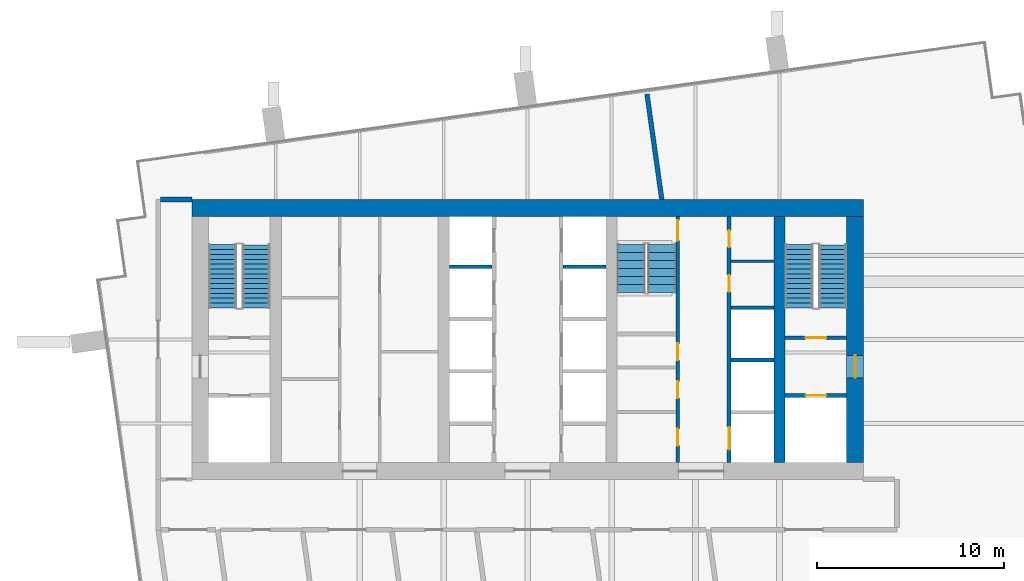
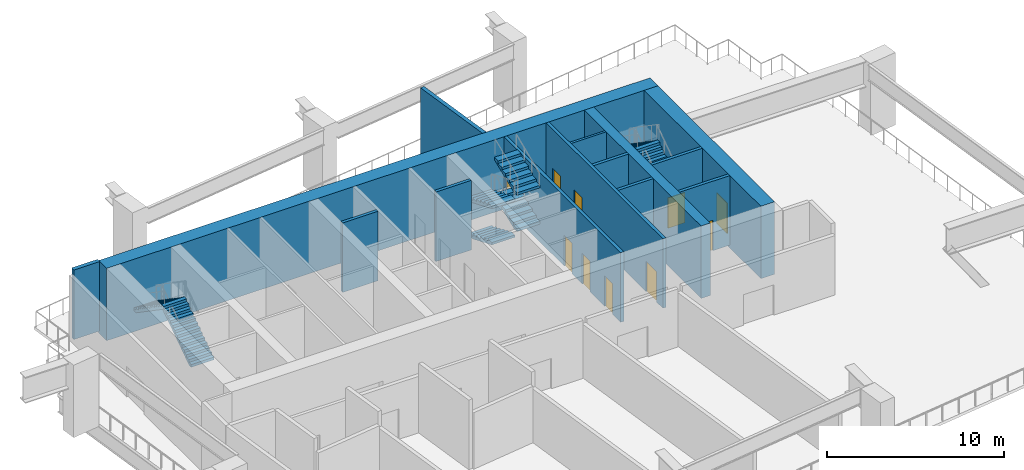
# One storey, part 4 of 10: 14 walls, 10 doors, 8 stair flights, 10 openings, 3 elements without a shape of their own.
"""IFC4 building model written with IfcOpenShell, lengths in metres."""

from ifc_helpers import new_model, si_unit, direction, frame, frame_2d, origin, place, context, subcontext, project, spatial, polyline, rectangle, outline, extrude, material, layer, layer_set, type_object, element, fill, aggregate, save


model = new_model("IFC4")

# Units and contexts
model_context = context("Model", 3, precision=1e-05, world=origin(), true_north=direction((0.0, 1.0)))
body_context = subcontext(model_context, "Body", "Model", "MODEL_VIEW")
ifc_project = project(units=[si_unit("LENGTHUNIT", "METRE"), si_unit("AREAUNIT", "SQUARE_METRE"), si_unit("VOLUMEUNIT", "CUBIC_METRE"), si_unit("PLANEANGLEUNIT", "RADIAN"), si_unit("MASSUNIT", "GRAM", prefix="KILO")], contexts=[model_context])

# Site, building, storey
site_placement = place(None, origin())
site = spatial("IfcSite", under=ifc_project, at=site_placement, CompositionType="ELEMENT")
building_placement = place(site_placement, origin())
building = spatial("IfcBuilding", under=site, at=building_placement, Name="Rattan Terrace Tower", CompositionType="ELEMENT")
storey_placement = place(building_placement, frame((0.0, 0.0, 244.699951171875)))
storey = spatial("IfcBuildingStorey", under=building, at=storey_placement, Name="L56", CompositionType="ELEMENT", Elevation=244.699951171875)

# Wall
ifc_material_1 = material(Name="Gypsum board partition")
ifc_layer_1 = layer(ifc_material_1, 0.14990234375)
ifc_layer_set_1 = layer_set([ifc_layer_1], Name="Core partition 150")
wall_type_1 = type_object("IfcWallType", Name="Core partition 150", PredefinedType="PARTITIONING", material=ifc_layer_set_1)
wall_1_placement = place(storey_placement, frame((10.89990234375, 4.199951171875, 0.0), z_axis=(0.0, 0.0, 1.0), x_axis=(1.0, 0.0, 0.0)))
element("IfcWall", 1, at=wall_1_placement, inside=storey, type_object=wall_type_1, Name="Riser room wall", PredefinedType="PARTITIONING", context=body_context, shape_type="SweptSolid", body=[
    extrude(rectangle(XDim=2.300048828125, YDim=0.14990234375, at=frame_2d((1.14990234375, 0.0))), origin(), (0.0, 0.0, 1.0), 4.800048828125),
])

# Wall, opening, door
ifc_material_2 = material(Name="Gypsum board partition")
ifc_layer_2 = layer(ifc_material_2, 0.199951171875)
ifc_layer_set_2 = layer_set([ifc_layer_2], Name="Core partition 200")
wall_type_2 = type_object("IfcWallType", Name="Core partition 200", PredefinedType="PARTITIONING", material=ifc_layer_set_2)
wall_2_placement = place(storey_placement, frame((13.800048828125, -3.0, 0.0), z_axis=(0.0, 0.0, 1.0), x_axis=(1.0, 0.0, 0.0)))
wall_2 = element("IfcWall", 2, at=wall_2_placement, inside=storey, type_object=wall_type_2, Name="Fire-fighting lobby wall", PredefinedType="PARTITIONING", context=body_context, shape_type="SweptSolid", body=[
    extrude(rectangle(XDim=3.300048828125, YDim=0.199951171875, at=frame_2d((1.64990234375, 0.0))), origin(), (0.0, 0.0, 1.0), 4.800048828125),
])
opening_1_placement = place(wall_2_placement, frame((1.10009765625, 0.0, 0.0)))
opening_1 = element("IfcOpeningElement", 3, at=opening_1_placement, cuts=wall_2, Name="Opening L56-LD-FF2", PredefinedType="OPENING", context=body_context, shape_type="SweptSolid", body=[
    extrude(rectangle(XDim=1.10009765625, YDim=2.10009765625, at=frame_2d((0.550048828125, 1.050048828125))), frame((0.0, 0.110595703125, 0.0), z_axis=(0.0, -1.0, 0.0), x_axis=(1.0, 0.0, 0.0)), (0.0, 0.0, 1.0), 0.220947265625),
])
ifc_material_3 = material(Name="Brushed stainless landing door panel")
door_type_1 = type_object("IfcDoorType", Name="Core lift landing door 1100", OperationType="DOUBLE_DOOR_SLIDING", PredefinedType="DOOR", material=ifc_material_3)
door_1_placement = place(opening_1_placement, origin())
door_1 = element("IfcDoor", 4, at=door_1_placement, inside=storey, type_object=door_type_1, Name="Door L56-LD-FF2", OperationType="DOUBLE_DOOR_SLIDING", OverallHeight=2.10009765625, OverallWidth=1.10009765625, PredefinedType="DOOR", context=body_context, shape_type="SweptSolid", body=[
    extrude(rectangle(XDim=1.10009765625, YDim=2.10009765625, at=frame_2d((0.550048828125, 1.050048828125))), frame((0.0, 0.02490234375, 0.0), z_axis=(0.0, -1.0, 0.0), x_axis=(1.0, 0.0, 0.0)), (0.0, 0.0, 1.0), 0.050048828125),
])
fill(opening_1, door_1)

wall_3_placement = place(storey_placement, frame((13.800048828125, 0.10009765625, 0.0), z_axis=(0.0, 0.0, 1.0), x_axis=(1.0, 0.0, 0.0)))
wall_3 = element("IfcWall", 5, at=wall_3_placement, inside=storey, type_object=wall_type_2, Name="Stair enclosure wall", PredefinedType="PARTITIONING", context=body_context, shape_type="SweptSolid", body=[
    extrude(rectangle(XDim=3.300048828125, YDim=0.199951171875, at=frame_2d((1.64990234375, 0.0))), origin(), (0.0, 0.0, 1.0), 4.800048828125),
])
opening_2_placement = place(wall_3_placement, frame((1.10009765625, 0.0, 0.0)))
opening_2 = element("IfcOpeningElement", 6, at=opening_2_placement, cuts=wall_3, Name="Opening L56-D004", PredefinedType="OPENING", context=body_context, shape_type="SweptSolid", body=[
    extrude(rectangle(XDim=1.10009765625, YDim=2.10009765625, at=frame_2d((0.550048828125, 1.050048828125))), frame((0.0, 0.110595703125, 0.0), z_axis=(0.0, -1.0, 0.0), x_axis=(1.0, 0.0, 0.0)), (0.0, 0.0, 1.0), 0.220947265625),
])
ifc_material_4 = material(Name="Hollow-metal fire door leaf")
door_type_2 = type_object("IfcDoorType", Name="Core stair door 1100", OperationType="NOTDEFINED", PredefinedType="DOOR", material=ifc_material_4)
door_2_placement = place(opening_2_placement, origin())
door_2 = element("IfcDoor", 7, at=door_2_placement, inside=storey, type_object=door_type_2, Name="Door L56-D004", OperationType="SINGLE_SWING_LEFT", OverallHeight=2.10009765625, OverallWidth=1.10009765625, PredefinedType="DOOR", context=body_context, shape_type="SweptSolid", body=[
    extrude(rectangle(XDim=1.10009765625, YDim=2.10009765625, at=frame_2d((0.550048828125, 1.050048828125))), frame((0.0, 0.02490234375, 0.0), z_axis=(0.0, -1.0, 0.0), x_axis=(1.0, 0.0, 0.0)), (0.0, 0.0, 1.0), 0.050048828125),
])
fill(opening_2, door_2)

# Wall, openings, doors
wall_4_placement = place(storey_placement, frame((8.050048828125, -6.60009765625, 0.0), z_axis=(0.0, 0.0, 1.0), x_axis=(0.0, 1.0, 0.0)))
wall_4 = element("IfcWall", 8, at=wall_4_placement, inside=storey, type_object=wall_type_2, Name="Lobby wall west", PredefinedType="PARTITIONING", context=body_context, shape_type="SweptSolid", body=[
    extrude(rectangle(XDim=13.2001953125, YDim=0.199951171875, at=frame_2d((6.60009765625, 0.0))), origin(), (0.0, 0.0, 1.0), 4.800048828125),
])
opening_3_placement = place(wall_4_placement, frame((0.909912109375, 0.0, 0.0)))
opening_3 = element("IfcOpeningElement", 9, at=opening_3_placement, cuts=wall_4, Name="Opening L56-D014", PredefinedType="OPENING", context=body_context, shape_type="SweptSolid", body=[
    extrude(rectangle(XDim=0.89990234375, YDim=2.10009765625, at=frame_2d((0.449951171875, 1.050048828125))), frame((0.0, 0.110595703125, 0.0), z_axis=(0.0, -1.0, 0.0), x_axis=(1.0, 0.0, 0.0)), (0.0, 0.0, 1.0), 0.220947265625),
])
opening_4_placement = place(wall_4_placement, frame((3.4599609375, 0.0, 0.0)))
opening_4 = element("IfcOpeningElement", 10, at=opening_4_placement, cuts=wall_4, Name="Opening L56-D015", PredefinedType="OPENING", context=body_context, shape_type="SweptSolid", body=[
    extrude(rectangle(XDim=0.89990234375, YDim=2.10009765625, at=frame_2d((0.449951171875, 1.050048828125))), frame((0.0, 0.110595703125, 0.0), z_axis=(0.0, -1.0, 0.0), x_axis=(1.0, 0.0, 0.0)), (0.0, 0.0, 1.0), 0.220947265625),
])
opening_5_placement = place(wall_4_placement, frame((5.5, 0.0, 0.0)))
opening_5 = element("IfcOpeningElement", 11, at=opening_5_placement, cuts=wall_4, Name="Opening L56-D016", PredefinedType="OPENING", context=body_context, shape_type="SweptSolid", body=[
    extrude(rectangle(XDim=0.89990234375, YDim=2.10009765625, at=frame_2d((0.449951171875, 1.050048828125))), frame((0.0, 0.110595703125, 0.0), z_axis=(0.0, -1.0, 0.0), x_axis=(1.0, 0.0, 0.0)), (0.0, 0.0, 1.0), 0.220947265625),
])
opening_6_placement = place(wall_4_placement, frame((11.89990234375, 0.0, 0.0)))
opening_6 = element("IfcOpeningElement", 12, at=opening_6_placement, cuts=wall_4, Name="Opening L56-D017", PredefinedType="OPENING", context=body_context, shape_type="SweptSolid", body=[
    extrude(rectangle(XDim=1.10009765625, YDim=2.10009765625, at=frame_2d((0.550048828125, 1.050048828125))), frame((0.0, 0.110595703125, 0.0), z_axis=(0.0, -1.0, 0.0), x_axis=(1.0, 0.0, 0.0)), (0.0, 0.0, 1.0), 0.220947265625),
])
ifc_material_5 = material(Name="Hollow-metal fire door leaf")
door_type_3 = type_object("IfcDoorType", Name="Core service room door 900", OperationType="NOTDEFINED", PredefinedType="DOOR", material=ifc_material_5)
door_3_placement = place(opening_5_placement, origin())
door_3 = element("IfcDoor", 13, at=door_3_placement, inside=storey, type_object=door_type_3, Name="Door L56-D016", OperationType="SINGLE_SWING_RIGHT", OverallHeight=2.10009765625, OverallWidth=0.89990234375, PredefinedType="DOOR", context=body_context, shape_type="SweptSolid", body=[
    extrude(rectangle(XDim=0.89990234375, YDim=2.10009765625, at=frame_2d((0.449951171875, 1.050048828125))), frame((0.0, 0.02490234375, 0.0), z_axis=(0.0, -1.0, 0.0), x_axis=(1.0, 0.0, 0.0)), (0.0, 0.0, 1.0), 0.050048828125),
])
fill(opening_5, door_3)
door_4_placement = place(opening_6_placement, origin())
door_4 = element("IfcDoor", 14, at=door_4_placement, inside=storey, type_object=door_type_2, Name="Door L56-D017", OperationType="SINGLE_SWING_LEFT", OverallHeight=2.10009765625, OverallWidth=1.10009765625, PredefinedType="DOOR", context=body_context, shape_type="SweptSolid", body=[
    extrude(rectangle(XDim=1.10009765625, YDim=2.10009765625, at=frame_2d((0.550048828125, 1.050048828125))), frame((0.0, 0.02490234375, 0.0), z_axis=(0.0, -1.0, 0.0), x_axis=(1.0, 0.0, 0.0)), (0.0, 0.0, 1.0), 0.050048828125),
])
fill(opening_6, door_4)
ifc_material_6 = material(Name="Hollow-metal fire door leaf")
door_type_4 = type_object("IfcDoorType", Name="Core toilet door 900", OperationType="NOTDEFINED", PredefinedType="DOOR", material=ifc_material_6)
door_5_placement = place(opening_3_placement, origin())
door_5 = element("IfcDoor", 15, at=door_5_placement, inside=storey, type_object=door_type_4, Name="Door L56-D014", OperationType="SINGLE_SWING_RIGHT", OverallHeight=2.10009765625, OverallWidth=0.89990234375, PredefinedType="DOOR", context=body_context, shape_type="SweptSolid", body=[
    extrude(rectangle(XDim=0.89990234375, YDim=2.10009765625, at=frame_2d((0.449951171875, 1.050048828125))), frame((0.0, 0.02490234375, 0.0), z_axis=(0.0, -1.0, 0.0), x_axis=(1.0, 0.0, 0.0)), (0.0, 0.0, 1.0), 0.050048828125),
])
fill(opening_3, door_5)
door_6_placement = place(opening_4_placement, origin())
door_6 = element("IfcDoor", 16, at=door_6_placement, inside=storey, type_object=door_type_4, Name="Door L56-D015", OperationType="SINGLE_SWING_LEFT", OverallHeight=2.10009765625, OverallWidth=0.89990234375, PredefinedType="DOOR", context=body_context, shape_type="SweptSolid", body=[
    extrude(rectangle(XDim=0.89990234375, YDim=2.10009765625, at=frame_2d((0.449951171875, 1.050048828125))), frame((0.0, 0.02490234375, 0.0), z_axis=(0.0, -1.0, 0.0), x_axis=(1.0, 0.0, 0.0)), (0.0, 0.0, 1.0), 0.050048828125),
])
fill(opening_4, door_6)

# Wall
ifc_material_7 = material(Name="Concrete C50/60", Category="concrete")
ifc_layer_3 = layer(ifc_material_7, 0.89990234375)
ifc_layer_set_3 = layer_set([ifc_layer_3], Name="Core ring wall 900 C50/60")
wall_type_3 = type_object("IfcWallType", Name="Core ring wall 900 C50/60", PredefinedType="SHEAR", material=ifc_layer_set_3)
wall_5_placement = place(storey_placement, frame((-18.0, 7.050048828125, -0.199951171875), z_axis=(0.0, 0.0, 1.0), x_axis=(1.0, 0.0, 0.0)))
element("IfcWall", 17, at=wall_5_placement, inside=storey, type_object=wall_type_3, Name="Rear core wall north", PredefinedType="SHEAR", context=body_context, shape_type="SweptSolid", body=[
    extrude(rectangle(XDim=36.0, YDim=0.89990234375, at=frame_2d((18.0, 0.0))), origin(), (0.0, 0.0, 1.0), 5.0),
])

# Wall, opening, door
wall_6_placement = place(storey_placement, frame((17.550048828125, -6.60009765625, -0.199951171875), z_axis=(0.0, 0.0, 1.0), x_axis=(0.0, 1.0, 0.0)))
wall_6 = element("IfcWall", 18, at=wall_6_placement, inside=storey, type_object=wall_type_3, Name="Rear core wall east", PredefinedType="SHEAR", context=body_context, shape_type="SweptSolid", body=[
    extrude(rectangle(XDim=13.2001953125, YDim=0.89990234375, at=frame_2d((6.60009765625, 0.0))), origin(), (0.0, 0.0, 1.0), 5.0),
])
opening_7_placement = place(wall_6_placement, frame((4.550048828125, 0.0, 0.199951171875)))
opening_7 = element("IfcOpeningElement", 19, at=opening_7_placement, cuts=wall_6, Name="Opening L56-D003", PredefinedType="OPENING", context=body_context, shape_type="SweptSolid", body=[
    extrude(rectangle(XDim=1.199951171875, YDim=2.10009765625, at=frame_2d((0.60009765625, 1.050048828125))), frame((0.0, 0.46044921875, 0.0), z_axis=(0.0, -1.0, 0.0), x_axis=(1.0, 0.0, 0.0)), (0.0, 0.0, 1.0), 0.9208984375),
])
ifc_material_8 = material(Name="Hollow-metal fire door leaf")
door_type_5 = type_object("IfcDoorType", Name="Core fire-fighting lobby door 1200", OperationType="NOTDEFINED", PredefinedType="DOOR", material=ifc_material_8)
door_7_placement = place(opening_7_placement, origin())
door_7 = element("IfcDoor", 20, at=door_7_placement, inside=storey, type_object=door_type_5, Name="Door L56-D003", OperationType="SINGLE_SWING_RIGHT", OverallHeight=2.10009765625, OverallWidth=1.199951171875, PredefinedType="DOOR", context=body_context, shape_type="SweptSolid", body=[
    extrude(rectangle(XDim=1.199951171875, YDim=2.10009765625, at=frame_2d((0.60009765625, 1.050048828125))), frame((0.0, 0.02490234375, 0.0), z_axis=(0.0, -1.0, 0.0), x_axis=(1.0, 0.0, 0.0)), (0.0, 0.0, 1.0), 0.050048828125),
])
fill(opening_7, door_7)

# Walls
ifc_material_9 = material(Name="Concrete C50/60", Category="concrete")
ifc_layer_4 = layer(ifc_material_9, 0.60009765625)
ifc_layer_set_4 = layer_set([ifc_layer_4], Name="Core spine wall 600 C50/60")
wall_type_4 = type_object("IfcWallType", Name="Core spine wall 600 C50/60", PredefinedType="SHEAR", material=ifc_layer_set_4)
wall_7_placement = place(storey_placement, frame((13.5, -6.60009765625, -0.199951171875), z_axis=(0.0, 0.0, 1.0), x_axis=(0.0, 1.0, 0.0)))
element("IfcWall", 21, at=wall_7_placement, inside=storey, type_object=wall_type_4, Name="Core spine wall 4", PredefinedType="SHEAR", context=body_context, shape_type="SweptSolid", body=[
    extrude(rectangle(XDim=13.2001953125, YDim=0.60009765625, at=frame_2d((6.60009765625, 0.0))), origin(), (0.0, 0.0, 1.0), 5.0),
])
ifc_material_10 = material(Name="Reinforced concrete wall, painted", Category="concrete")
ifc_layer_5 = layer(ifc_material_10, 0.25)
ifc_layer_set_5 = layer_set([ifc_layer_5], Name="Floors Refuge Wall 250")
wall_type_5 = type_object("IfcWallType", Name="Floors Refuge Wall 250", PredefinedType="PARTITIONING", material=ifc_layer_set_5)
wall_8_placement = place(storey_placement, frame((-19.675048828125, 7.501953125, 0.0), z_axis=(0.0, 0.0, 1.0), x_axis=(1.0, 0.0, 0.0)))
element("IfcWall", 22, at=wall_8_placement, inside=storey, type_object=wall_type_5, Name="pt-L56-013", PredefinedType="PARTITIONING", context=body_context, shape_type="SweptSolid", body=[
    extrude(rectangle(XDim=1.675048828125, YDim=0.25, at=frame_2d((0.83740234375, 0.0))), origin(), (0.0, 0.0, 1.0), 4.800048828125),
])
wall_9_placement = place(storey_placement, frame((7.193115234375, 7.5, 0.0), z_axis=(0.0, 0.0, 1.0), x_axis=(-0.139242385589, 0.99025832895, 0.0)))
element("IfcWall", 23, at=wall_9_placement, inside=storey, type_object=wall_type_5, Name="pt-L56-025", PredefinedType="PARTITIONING", context=body_context, shape_type="SweptSolid", body=[
    extrude(rectangle(XDim=5.710693359375, YDim=0.25, at=frame_2d((2.85546875, 0.0))), origin(), (0.0, 0.0, 1.0), 4.800048828125),
])
ifc_material_11 = material(Name="Gypsum shaft wall system")
ifc_layer_6 = layer(ifc_material_11, 0.199951171875)
ifc_layer_set_6 = layer_set([ifc_layer_6], Name="Lift shaft wall 200")
wall_type_6 = type_object("IfcWallType", Name="Lift shaft wall 200", PredefinedType="PARTITIONING", material=ifc_layer_set_6)
for number, where, z_axis, x_axis, name in (
    (24, (-4.199951171875, 3.89990234375, 0.0), (0.0, 0.0, 1.0), (1.0, 0.0, 0.0), "Lift shaft wall"),
    (25, (1.89990234375, 3.89990234375, 0.0), (0.0, 0.0, 1.0), (1.0, 0.0, 0.0), "Lift shaft wall"),
):
    element("IfcWall", number, at=place(storey_placement, frame(where, z_axis=z_axis, x_axis=x_axis)), inside=storey, type_object=wall_type_6, Name=name, PredefinedType="PARTITIONING", context=body_context, shape_type="SweptSolid", body=[
        extrude(rectangle(XDim=2.300048828125, YDim=0.199951171875, at=frame_2d((1.14990234375, 0.0))), origin(), (0.0, 0.0, 1.0), 4.800048828125),
    ])

# Wall, openings, doors
wall_10_placement = place(storey_placement, frame((10.800048828125, -6.60009765625, 0.0), z_axis=(0.0, 0.0, 1.0), x_axis=(0.0, 1.0, 0.0)))
wall_10 = element("IfcWall", 26, at=wall_10_placement, inside=storey, type_object=wall_type_6, Name="Lift shaft front wall", PredefinedType="PARTITIONING", context=body_context, shape_type="SweptSolid", body=[
    extrude(rectangle(XDim=13.2001953125, YDim=0.199951171875, at=frame_2d((6.60009765625, 0.0))), origin(), (0.0, 0.0, 1.0), 4.800048828125),
])
opening_8_placement = place(wall_10_placement, frame((0.699951171875, 0.0, 0.0)))
opening_8 = element("IfcOpeningElement", 27, at=opening_8_placement, cuts=wall_10, Name="Opening L56-LD-SV1", PredefinedType="OPENING", context=body_context, shape_type="SweptSolid", body=[
    extrude(rectangle(XDim=1.199951171875, YDim=2.10009765625, at=frame_2d((0.60009765625, 1.050048828125))), frame((0.0, 0.110595703125, 0.0), z_axis=(0.0, -1.0, 0.0), x_axis=(1.0, 0.0, 0.0)), (0.0, 0.0, 1.0), 0.220947265625),
])
opening_9_placement = place(wall_10_placement, frame((9.14990234375, 0.0, 0.0)))
opening_9 = element("IfcOpeningElement", 28, at=opening_9_placement, cuts=wall_10, Name="Opening L56-D019", PredefinedType="OPENING", context=body_context, shape_type="SweptSolid", body=[
    extrude(rectangle(XDim=0.89990234375, YDim=2.10009765625, at=frame_2d((0.449951171875, 1.050048828125))), frame((0.0, 0.110595703125, 0.0), z_axis=(0.0, -1.0, 0.0), x_axis=(1.0, 0.0, 0.0)), (0.0, 0.0, 1.0), 0.220947265625),
])
opening_10_placement = place(wall_10_placement, frame((11.550048828125, 0.0, 0.0)))
opening_10 = element("IfcOpeningElement", 29, at=opening_10_placement, cuts=wall_10, Name="Opening L56-D020", PredefinedType="OPENING", context=body_context, shape_type="SweptSolid", body=[
    extrude(rectangle(XDim=0.89990234375, YDim=2.10009765625, at=frame_2d((0.449951171875, 1.050048828125))), frame((0.0, 0.110595703125, 0.0), z_axis=(0.0, -1.0, 0.0), x_axis=(1.0, 0.0, 0.0)), (0.0, 0.0, 1.0), 0.220947265625),
])
ifc_material_12 = material(Name="Brushed stainless landing door panel")
door_type_6 = type_object("IfcDoorType", Name="Core lift landing door 1200", OperationType="DOUBLE_DOOR_SLIDING", PredefinedType="DOOR", material=ifc_material_12)
door_8_placement = place(opening_8_placement, origin())
door_8 = element("IfcDoor", 30, at=door_8_placement, inside=storey, type_object=door_type_6, Name="Door L56-LD-SV1", OperationType="DOUBLE_DOOR_SLIDING", OverallHeight=2.10009765625, OverallWidth=1.199951171875, PredefinedType="DOOR", context=body_context, shape_type="SweptSolid", body=[
    extrude(rectangle(XDim=1.199951171875, YDim=2.10009765625, at=frame_2d((0.60009765625, 1.050048828125))), frame((0.0, 0.02490234375, 0.0), z_axis=(0.0, -1.0, 0.0), x_axis=(1.0, 0.0, 0.0)), (0.0, 0.0, 1.0), 0.050048828125),
])
fill(opening_8, door_8)
ifc_material_13 = material(Name="Hollow-metal fire door leaf")
door_type_7 = type_object("IfcDoorType", Name="Core riser door 900", OperationType="NOTDEFINED", PredefinedType="DOOR", material=ifc_material_13)
door_9_placement = place(opening_9_placement, origin())
door_9 = element("IfcDoor", 31, at=door_9_placement, inside=storey, type_object=door_type_7, Name="Door L56-D019", OperationType="SINGLE_SWING_RIGHT", OverallHeight=2.10009765625, OverallWidth=0.89990234375, PredefinedType="DOOR", context=body_context, shape_type="SweptSolid", body=[
    extrude(rectangle(XDim=0.89990234375, YDim=2.10009765625, at=frame_2d((0.449951171875, 1.050048828125))), frame((0.0, 0.02490234375, 0.0), z_axis=(0.0, -1.0, 0.0), x_axis=(1.0, 0.0, 0.0)), (0.0, 0.0, 1.0), 0.050048828125),
])
fill(opening_9, door_9)
door_10_placement = place(opening_10_placement, origin())
door_10 = element("IfcDoor", 32, at=door_10_placement, inside=storey, type_object=door_type_7, Name="Door L56-D020", OperationType="SINGLE_SWING_LEFT", OverallHeight=2.10009765625, OverallWidth=0.89990234375, PredefinedType="DOOR", context=body_context, shape_type="SweptSolid", body=[
    extrude(rectangle(XDim=0.89990234375, YDim=2.10009765625, at=frame_2d((0.449951171875, 1.050048828125))), frame((0.0, 0.02490234375, 0.0), z_axis=(0.0, -1.0, 0.0), x_axis=(1.0, 0.0, 0.0)), (0.0, 0.0, 1.0), 0.050048828125),
])
fill(opening_10, door_10)

# Walls
for number, where, z_axis, x_axis, name in (
    (33, (10.89990234375, -1.10009765625, 0.0), (0.0, 0.0, 1.0), (1.0, 0.0, 0.0), "Lift shaft wall"),
    (34, (10.89990234375, 1.699951171875, 0.0), (0.0, 0.0, 1.0), (1.0, 0.0, 0.0), "Lift shaft wall"),
):
    element("IfcWall", number, at=place(storey_placement, frame(where, z_axis=z_axis, x_axis=x_axis)), inside=storey, type_object=wall_type_6, Name=name, PredefinedType="PARTITIONING", context=body_context, shape_type="SweptSolid", body=[
        extrude(rectangle(XDim=2.300048828125, YDim=0.199951171875, at=frame_2d((1.14990234375, 0.0))), origin(), (0.0, 0.0, 1.0), 4.800048828125),
    ])

# Stair, stair flights
ifc_material_14 = material(Name="Concrete C40/50", Category="concrete")
stair_type = type_object("IfcStairType", Name="Core exit stair 1500", PredefinedType="HALF_TURN_STAIR", material=ifc_material_14)
stair_1_placement = place(storey_placement, origin())
stair_1 = element("IfcStair", 35, at=stair_1_placement, inside=storey, type_object=stair_type, Name="L56 exit stair 1", PredefinedType="HALF_TURN_STAIR")
ifc_material_15 = material(Name="Concrete C40/50", Category="concrete")
stair_flight_type = type_object("IfcStairFlightType", Name="Core exit stair flight 1500", PredefinedType="STRAIGHT", material=ifc_material_15)
stair_flight_1_placement = place(storey_placement, frame((-14.550048828125, 1.699951171875, 0.0), z_axis=(0.0, 0.0, 1.0), x_axis=(0.0, 1.0, 0.0)))
stair_flight_1 = element("IfcStairFlight", 36, at=stair_flight_1_placement, type_object=stair_flight_type, Name="S1 flight 1", NumberOfRisers=14, NumberOfTreads=13, PredefinedType="STRAIGHT", RiserHeight=0.178571429, TreadLength=0.26, context=body_context, shape_type="SweptSolid", body=[
    extrude(outline(polyline([(0.0, 0.0), (0.0, 0.178466796875), (0.260009765625, 0.178466796875), (0.260009765625, 0.357177734375), (0.52001953125, 0.357177734375), (0.52001953125, 0.53564453125), (0.780029296875, 0.53564453125), (0.780029296875, 0.71435546875), (1.0400390625, 0.71435546875), (1.0400390625, 0.892822265625), (1.300048828125, 0.892822265625), (1.300048828125, 1.071533203125), (1.56005859375, 1.071533203125), (1.56005859375, 1.25), (1.820068359375, 1.25), (1.820068359375, 1.428466796875), (2.080078125, 1.428466796875), (2.080078125, 1.607177734375), (2.340087890625, 1.607177734375), (2.340087890625, 1.78564453125), (2.60009765625, 1.78564453125), (2.60009765625, 1.96435546875), (2.860107421875, 1.96435546875), (2.860107421875, 2.142822265625), (3.1201171875, 2.142822265625), (3.1201171875, 2.321533203125), (3.3798828125, 2.321533203125), (3.3798828125, 2.5), (3.3798828125, 2.1396484375), (0.264892578125, 0.0), (0.0, 0.0)])), frame((0.0, 0.75, 0.0), z_axis=(0.0, -1.0, 0.0), x_axis=(1.0, 0.0, 0.0)), (0.0, 0.0, 1.0), 1.5),
])
stair_flight_2_placement = place(storey_placement, frame((-16.35009765625, 5.080078125, 2.5), z_axis=(0.0, 0.0, 1.0), x_axis=(0.0, -1.0, 0.0)))
stair_flight_2 = element("IfcStairFlight", 37, at=stair_flight_2_placement, type_object=stair_flight_type, Name="S1 flight 2", NumberOfRisers=14, NumberOfTreads=13, PredefinedType="STRAIGHT", RiserHeight=0.178571429, TreadLength=0.26, context=body_context, shape_type="SweptSolid", body=[
    extrude(outline(polyline([(0.0, 0.0), (0.0, 0.178466796875), (0.260009765625, 0.178466796875), (0.260009765625, 0.357177734375), (0.52001953125, 0.357177734375), (0.52001953125, 0.53564453125), (0.780029296875, 0.53564453125), (0.780029296875, 0.71435546875), (1.0400390625, 0.71435546875), (1.0400390625, 0.892822265625), (1.300048828125, 0.892822265625), (1.300048828125, 1.071533203125), (1.56005859375, 1.071533203125), (1.56005859375, 1.25), (1.820068359375, 1.25), (1.820068359375, 1.428466796875), (2.080078125, 1.428466796875), (2.080078125, 1.607177734375), (2.340087890625, 1.607177734375), (2.340087890625, 1.78564453125), (2.60009765625, 1.78564453125), (2.60009765625, 1.96435546875), (2.860107421875, 1.96435546875), (2.860107421875, 2.142822265625), (3.1201171875, 2.142822265625), (3.1201171875, 2.321533203125), (3.3798828125, 2.321533203125), (3.3798828125, 2.5), (3.3798828125, 2.1396484375), (0.264892578125, 0.0), (0.0, 0.0)])), frame((0.0, 0.75, 0.0), z_axis=(0.0, -1.0, 0.0), x_axis=(1.0, 0.0, 0.0)), (0.0, 0.0, 1.0), 1.5),
])
aggregate(stair_1, [stair_flight_1, stair_flight_2])

stair_2_placement = place(storey_placement, origin())
stair_2 = element("IfcStair", 38, at=stair_2_placement, inside=storey, type_object=stair_type, Name="L56 exit stair 2", PredefinedType="HALF_TURN_STAIR")
stair_flight_3_placement = place(storey_placement, frame((16.35009765625, 1.699951171875, 0.0), z_axis=(0.0, 0.0, 1.0), x_axis=(0.0, 1.0, 0.0)))
stair_flight_3 = element("IfcStairFlight", 39, at=stair_flight_3_placement, type_object=stair_flight_type, Name="S2 flight 1", NumberOfRisers=14, NumberOfTreads=13, PredefinedType="STRAIGHT", RiserHeight=0.178571429, TreadLength=0.26, context=body_context, shape_type="SweptSolid", body=[
    extrude(outline(polyline([(0.0, 0.0), (0.0, 0.178466796875), (0.260009765625, 0.178466796875), (0.260009765625, 0.357177734375), (0.52001953125, 0.357177734375), (0.52001953125, 0.53564453125), (0.780029296875, 0.53564453125), (0.780029296875, 0.71435546875), (1.0400390625, 0.71435546875), (1.0400390625, 0.892822265625), (1.300048828125, 0.892822265625), (1.300048828125, 1.071533203125), (1.56005859375, 1.071533203125), (1.56005859375, 1.25), (1.820068359375, 1.25), (1.820068359375, 1.428466796875), (2.080078125, 1.428466796875), (2.080078125, 1.607177734375), (2.340087890625, 1.607177734375), (2.340087890625, 1.78564453125), (2.60009765625, 1.78564453125), (2.60009765625, 1.96435546875), (2.860107421875, 1.96435546875), (2.860107421875, 2.142822265625), (3.1201171875, 2.142822265625), (3.1201171875, 2.321533203125), (3.3798828125, 2.321533203125), (3.3798828125, 2.5), (3.3798828125, 2.1396484375), (0.264892578125, 0.0), (0.0, 0.0)])), frame((0.0, 0.75, 0.0), z_axis=(0.0, -1.0, 0.0), x_axis=(1.0, 0.0, 0.0)), (0.0, 0.0, 1.0), 1.5),
])
stair_flight_4_placement = place(storey_placement, frame((14.550048828125, 5.080078125, 2.5), z_axis=(0.0, 0.0, 1.0), x_axis=(0.0, -1.0, 0.0)))
stair_flight_4 = element("IfcStairFlight", 40, at=stair_flight_4_placement, type_object=stair_flight_type, Name="S2 flight 2", NumberOfRisers=14, NumberOfTreads=13, PredefinedType="STRAIGHT", RiserHeight=0.178571429, TreadLength=0.26, context=body_context, shape_type="SweptSolid", body=[
    extrude(outline(polyline([(0.0, 0.0), (0.0, 0.178466796875), (0.260009765625, 0.178466796875), (0.260009765625, 0.357177734375), (0.52001953125, 0.357177734375), (0.52001953125, 0.53564453125), (0.780029296875, 0.53564453125), (0.780029296875, 0.71435546875), (1.0400390625, 0.71435546875), (1.0400390625, 0.892822265625), (1.300048828125, 0.892822265625), (1.300048828125, 1.071533203125), (1.56005859375, 1.071533203125), (1.56005859375, 1.25), (1.820068359375, 1.25), (1.820068359375, 1.428466796875), (2.080078125, 1.428466796875), (2.080078125, 1.607177734375), (2.340087890625, 1.607177734375), (2.340087890625, 1.78564453125), (2.60009765625, 1.78564453125), (2.60009765625, 1.96435546875), (2.860107421875, 1.96435546875), (2.860107421875, 2.142822265625), (3.1201171875, 2.142822265625), (3.1201171875, 2.321533203125), (3.3798828125, 2.321533203125), (3.3798828125, 2.5), (3.3798828125, 2.1396484375), (0.264892578125, 0.0), (0.0, 0.0)])), frame((0.0, 0.75, 0.0), z_axis=(0.0, -1.0, 0.0), x_axis=(1.0, 0.0, 0.0)), (0.0, 0.0, 1.0), 1.5),
])
aggregate(stair_2, [stair_flight_3, stair_flight_4])

stair_3_placement = place(storey_placement, origin())
stair_3 = element("IfcStair", 41, at=stair_3_placement, inside=storey, type_object=stair_type, Name="L56 exit stair 3", PredefinedType="HALF_TURN_STAIR")
stair_flight_5_placement = place(storey_placement, frame((5.550048828125, 5.10009765625, 0.0), z_axis=(0.0, 0.0, 1.0), x_axis=(0.0, -1.0, 0.0)))
stair_flight_5 = element("IfcStairFlight", 42, at=stair_flight_5_placement, type_object=stair_flight_type, Name="S3 flight 1", NumberOfRisers=7, NumberOfTreads=6, PredefinedType="STRAIGHT", RiserHeight=0.178571429, TreadLength=0.43, context=body_context, shape_type="SweptSolid", body=[
    extrude(outline(polyline([(0.0, 0.0), (0.0, 0.178466796875), (0.429931640625, 0.178466796875), (0.429931640625, 0.357177734375), (0.860107421875, 0.357177734375), (0.860107421875, 0.53564453125), (1.2900390625, 0.53564453125), (1.2900390625, 0.71435546875), (1.719970703125, 0.71435546875), (1.719970703125, 0.892822265625), (2.14990234375, 0.892822265625), (2.14990234375, 1.071533203125), (2.580078125, 1.071533203125), (2.580078125, 1.25), (2.580078125, 0.9091796875), (0.390869140625, 0.0), (0.0, 0.0)])), frame((0.0, 0.75, 0.0), z_axis=(0.0, -1.0, 0.0), x_axis=(1.0, 0.0, 0.0)), (0.0, 0.0, 1.0), 1.5),
])
stair_flight_6_placement = place(storey_placement, frame((7.199951171875, 2.52001953125, 1.25), z_axis=(0.0, 0.0, 1.0), x_axis=(0.0, 1.0, 0.0)))
stair_flight_6 = element("IfcStairFlight", 43, at=stair_flight_6_placement, type_object=stair_flight_type, Name="S3 flight 2", NumberOfRisers=7, NumberOfTreads=6, PredefinedType="STRAIGHT", RiserHeight=0.178571429, TreadLength=0.43, context=body_context, shape_type="SweptSolid", body=[
    extrude(outline(polyline([(0.0, 0.0), (0.0, 0.178466796875), (0.429931640625, 0.178466796875), (0.429931640625, 0.357177734375), (0.860107421875, 0.357177734375), (0.860107421875, 0.53564453125), (1.2900390625, 0.53564453125), (1.2900390625, 0.71435546875), (1.719970703125, 0.71435546875), (1.719970703125, 0.892822265625), (2.14990234375, 0.892822265625), (2.14990234375, 1.071533203125), (2.580078125, 1.071533203125), (2.580078125, 1.25), (2.580078125, 0.9091796875), (0.390869140625, 0.0), (0.0, 0.0)])), frame((0.0, 0.75, 0.0), z_axis=(0.0, -1.0, 0.0), x_axis=(1.0, 0.0, 0.0)), (0.0, 0.0, 1.0), 1.5),
])
stair_flight_7_placement = place(storey_placement, frame((5.550048828125, 5.10009765625, 2.5), z_axis=(0.0, 0.0, 1.0), x_axis=(0.0, -1.0, 0.0)))
stair_flight_7 = element("IfcStairFlight", 44, at=stair_flight_7_placement, type_object=stair_flight_type, Name="S3 flight 3", NumberOfRisers=7, NumberOfTreads=6, PredefinedType="STRAIGHT", RiserHeight=0.178571429, TreadLength=0.43, context=body_context, shape_type="SweptSolid", body=[
    extrude(outline(polyline([(0.0, 0.0), (0.0, 0.178466796875), (0.429931640625, 0.178466796875), (0.429931640625, 0.357177734375), (0.860107421875, 0.357177734375), (0.860107421875, 0.53564453125), (1.2900390625, 0.53564453125), (1.2900390625, 0.71435546875), (1.719970703125, 0.71435546875), (1.719970703125, 0.892822265625), (2.14990234375, 0.892822265625), (2.14990234375, 1.071533203125), (2.580078125, 1.071533203125), (2.580078125, 1.25), (2.580078125, 0.9091796875), (0.390869140625, 0.0), (0.0, 0.0)])), frame((0.0, 0.75, 0.0), z_axis=(0.0, -1.0, 0.0), x_axis=(1.0, 0.0, 0.0)), (0.0, 0.0, 1.0), 1.5),
])
stair_flight_8_placement = place(storey_placement, frame((7.199951171875, 2.52001953125, 3.75), z_axis=(0.0, 0.0, 1.0), x_axis=(0.0, 1.0, 0.0)))
stair_flight_8 = element("IfcStairFlight", 45, at=stair_flight_8_placement, type_object=stair_flight_type, Name="S3 flight 4", NumberOfRisers=7, NumberOfTreads=6, PredefinedType="STRAIGHT", RiserHeight=0.178571429, TreadLength=0.43, context=body_context, shape_type="SweptSolid", body=[
    extrude(outline(polyline([(0.0, 0.0), (0.0, 0.178466796875), (0.429931640625, 0.178466796875), (0.429931640625, 0.357177734375), (0.860107421875, 0.357177734375), (0.860107421875, 0.53564453125), (1.2900390625, 0.53564453125), (1.2900390625, 0.71435546875), (1.719970703125, 0.71435546875), (1.719970703125, 0.892822265625), (2.14990234375, 0.892822265625), (2.14990234375, 1.071533203125), (2.580078125, 1.071533203125), (2.580078125, 1.25), (2.580078125, 0.9091796875), (0.390869140625, 0.0), (0.0, 0.0)])), frame((0.0, 0.75, 0.0), z_axis=(0.0, -1.0, 0.0), x_axis=(1.0, 0.0, 0.0)), (0.0, 0.0, 1.0), 1.5),
])
aggregate(stair_3, [stair_flight_5, stair_flight_6, stair_flight_7, stair_flight_8])

save(model, "model.ifc")
